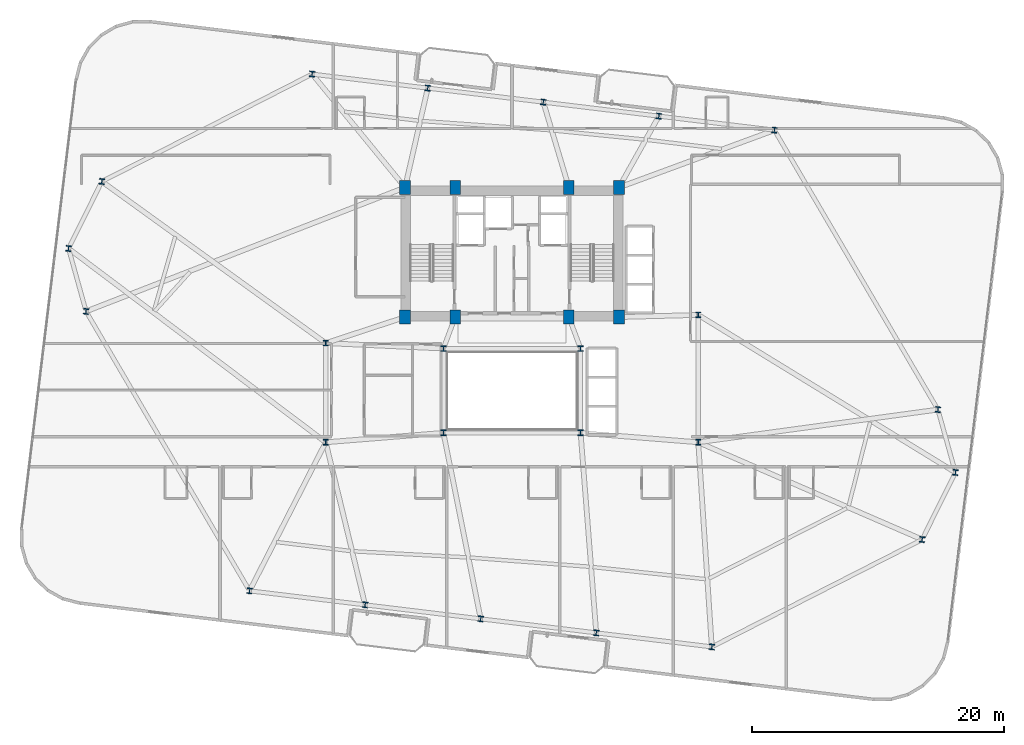
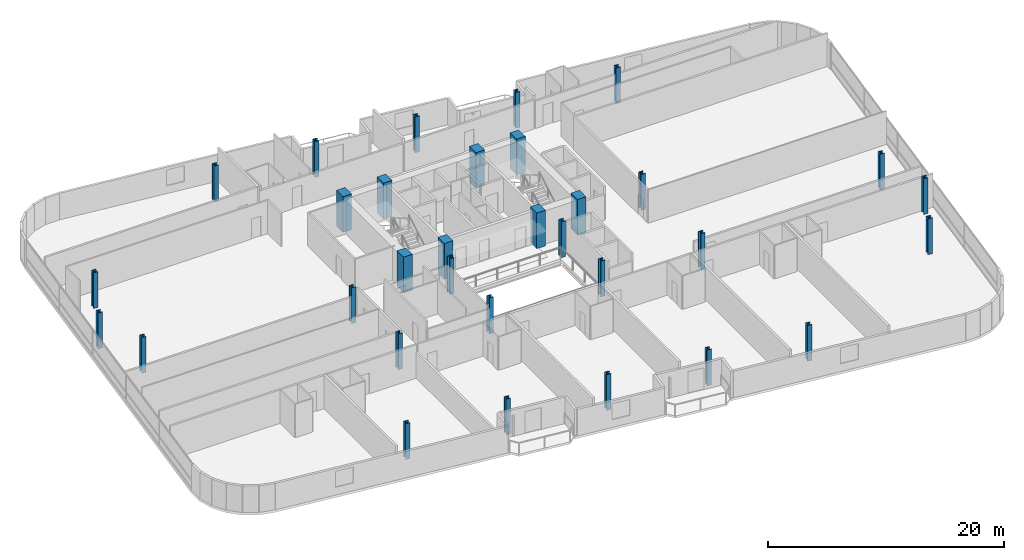
# One storey, part 1 of 26: 32 columns.
"""IFC4 building model written with IfcOpenShell, lengths in metres."""

from ifc_helpers import new_model, si_unit, direction, frame, origin, origin_2d, place, context, subcontext, project, spatial, rectangle, i_section, extrude, material, material_profile, profile_set, type_object, element, save


model = new_model("IFC4")

# Units and contexts
model_context = context("Model", 3, precision=1e-05, world=origin(), true_north=direction((0.0, 1.0)))
body_context = subcontext(model_context, "Body", "Model", "MODEL_VIEW")
ifc_project = project(units=[si_unit("LENGTHUNIT", "METRE"), si_unit("AREAUNIT", "SQUARE_METRE"), si_unit("VOLUMEUNIT", "CUBIC_METRE"), si_unit("PLANEANGLEUNIT", "RADIAN"), si_unit("MASSUNIT", "GRAM", prefix="KILO")], contexts=[model_context])

# Site, building, storey
site_placement = place(None, origin())
site = spatial("IfcSite", under=ifc_project, at=site_placement, CompositionType="ELEMENT")
building_placement = place(site_placement, origin())
building = spatial("IfcBuilding", under=site, at=building_placement, Name="Varnelok Gate Tower", CompositionType="ELEMENT")
storey_placement = place(building_placement, frame((0.0, 0.0, 147.60009765625)))
storey = spatial("IfcBuildingStorey", under=building, at=storey_placement, Name="L37", CompositionType="ELEMENT", Elevation=147.60009765625)

# Columns
ifc_material_1 = material(Name="Concrete C60/75", Category="concrete")
ifc_material_profile_1 = material_profile(ifc_material_1, rectangle(XDim=0.85009765625, YDim=1.10009765625, at=origin_2d()), Name="RC1100X850")
ifc_profile_set_1 = profile_set([ifc_material_profile_1], Name="Concrete C60/75")
column_type_1 = type_object("IfcColumnType", Name="COL-RC1100X850", PredefinedType="COLUMN", material=ifc_profile_set_1)
for number, where, z_axis, x_axis, name in (
    (1, (30.699951171875, 28.75, 0.0), (0.0, 0.0, 1.0), (1.0, 0.0, 0.0), "L37 Core Spine Column SC1"),
    (2, (34.679931640625, 28.75, 0.0), (0.0, 0.0, 1.0), (1.0, 0.0, 0.0), "L37 Core Spine Column SC2"),
    (3, (43.719970703125, 28.75, 0.0), (0.0, 0.0, 1.0), (1.0, 0.0, 0.0), "L37 Core Spine Column SC3"),
    (4, (47.699951171875, 28.75, 0.0), (0.0, 0.0, 1.0), (1.0, 0.0, 0.0), "L37 Core Spine Column SC4"),
    (5, (30.699951171875, 39.050048828125, 0.0), (0.0, 0.0, 1.0), (1.0, 0.0, 0.0), "L37 Core Spine Column SC5"),
    (6, (34.679931640625, 39.050048828125, 0.0), (0.0, 0.0, 1.0), (1.0, 0.0, 0.0), "L37 Core Spine Column SC6"),
    (7, (43.719970703125, 39.050048828125, 0.0), (0.0, 0.0, 1.0), (1.0, 0.0, 0.0), "L37 Core Spine Column SC7"),
    (8, (47.699951171875, 39.050048828125, 0.0), (0.0, 0.0, 1.0), (1.0, 0.0, 0.0), "L37 Core Spine Column SC8"),
):
    element("IfcColumn", number, at=place(storey_placement, frame(where, z_axis=z_axis, x_axis=x_axis)), inside=storey, type_object=column_type_1, Name=name, PredefinedType="COLUMN", context=body_context, shape_type="SweptSolid", body=[
        extrude(rectangle(XDim=0.85009765625, YDim=1.10009765625, at=origin_2d()), origin(), (0.0, 0.0, 1.0), 3.699951171875),
    ])
ifc_material_2 = material(Name="Structural Steel ASTM A992 Grade 50", Category="steel")
ifc_material_profile_2 = material_profile(ifc_material_2, i_section(OverallWidth=0.41796875, OverallDepth=0.455078125, WebThickness=0.0419921875, FlangeThickness=0.067626953125, FilletRadius=0.02490234375, at=origin_2d()), Name="W14X370")
ifc_profile_set_2 = profile_set([ifc_material_profile_2], Name="Structural Steel ASTM A992 Grade 50")
column_type_2 = type_object("IfcColumnType", Name="COL-W14X370", PredefinedType="COLUMN", material=ifc_profile_set_2)
for number, where, z_axis, x_axis, name in (
    (9, (33.75, 19.550048828125, 0.0), (0.0, 0.0, 1.0), (1.0, 0.0, 0.0), "L37 Atrium Spine Column AC1"),
    (10, (44.64990234375, 19.550048828125, 0.0), (0.0, 0.0, 1.0), (1.0, 0.0, 0.0), "L37 Atrium Spine Column AC2"),
    (11, (33.75, 26.25, 0.0), (0.0, 0.0, 1.0), (1.0, 0.0, 0.0), "L37 Atrium Spine Column AC3"),
    (12, (44.64990234375, 26.25, 0.0), (0.0, 0.0, 1.0), (1.0, 0.0, 0.0), "L37 Atrium Spine Column AC4"),
    (13, (24.39990234375, 18.800048828125, 0.0), (0.0, 0.0, 1.0), (1.0, 0.0, 0.0), "L37 Wing Spine Column WS1"),
    (14, (24.39990234375, 26.679931640625, 0.0), (0.0, 0.0, 1.0), (1.0, 0.0, 0.0), "L37 Wing Spine Column WS2"),
    (15, (54.0, 18.800048828125, 0.0), (0.0, 0.0, 1.0), (1.0, 0.0, 0.0), "L37 Wing Spine Column ES1"),
    (16, (54.0, 28.919921875, 0.0), (0.0, 0.0, 1.0), (1.0, 0.0, 0.0), "L37 Wing Spine Column ES2"),
    (17, (18.345703125, 6.99658203125, 0.0), (0.0, 0.0, 1.0), (0.992732158755, -0.12034475881, 0.0), "L37 B3 Perimeter Column PC01"),
    (18, (27.528564453125, 5.883544921875, 0.0), (0.0, 0.0, 1.0), (0.992732158755, -0.12034475881, 0.0), "L37 B3 Perimeter Column PC02"),
    (19, (36.711181640625, 4.770263671875, 0.0), (0.0, 0.0, 1.0), (0.992732158755, -0.12034475881, 0.0), "L37 B3 Perimeter Column PC03"),
    (20, (45.89404296875, 3.656982421875, 0.0), (0.0, 0.0, 1.0), (0.992732158755, -0.12034475881, 0.0), "L37 B3 Perimeter Column PC04"),
    (21, (55.076904296875, 2.5439453125, 0.0), (0.0, 0.0, 1.0), (0.992732158755, -0.12034475881, 0.0), "L37 B3 Perimeter Column PC05"),
    (22, (71.79296875, 11.07421875, 0.0), (0.0, 0.0, 1.0), (0.992732158755, -0.12034475881, 0.0), "L37 B3 Perimeter Column PC06"),
    (23, (74.435546875, 16.40478515625, 0.0), (0.0, 0.0, 1.0), (0.992732158755, -0.12034475881, 0.0), "L37 B3 Perimeter Column PC07"),
    (24, (73.04443359375, 21.398681640625, 0.0), (0.0, 0.0, 1.0), (0.992732158755, -0.12034475881, 0.0), "L37 B3 Perimeter Column PC08"),
    (25, (60.05419921875, 43.603271484375, 0.0), (0.0, 0.0, 1.0), (0.992732158755, -0.12034475881, 0.0), "L37 B3 Perimeter Column PC09"),
    (26, (50.87158203125, 44.716552734375, 0.0), (0.0, 0.0, 1.0), (0.992732158755, -0.12034475881, 0.0), "L37 B3 Perimeter Column PC10"),
    (27, (41.688720703125, 45.82958984375, 0.0), (0.0, 0.0, 1.0), (0.992732158755, -0.12034475881, 0.0), "L37 B3 Perimeter Column PC11"),
    (28, (32.506103515625, 46.94287109375, 0.0), (0.0, 0.0, 1.0), (0.992732158755, -0.12034475881, 0.0), "L37 B3 Perimeter Column PC12"),
    (29, (23.3232421875, 48.05615234375, 0.0), (0.0, 0.0, 1.0), (0.992732158755, -0.12034475881, 0.0), "L37 B3 Perimeter Column PC13"),
    (30, (6.607177734375, 39.52587890625, 0.0), (0.0, 0.0, 1.0), (0.992732158755, -0.12034475881, 0.0), "L37 B3 Perimeter Column PC14"),
    (31, (3.96435546875, 34.195068359375, 0.0), (0.0, 0.0, 1.0), (0.992732158755, -0.12034475881, 0.0), "L37 B3 Perimeter Column PC15"),
    (32, (5.35546875, 29.201416015625, 0.0), (0.0, 0.0, 1.0), (0.992732158755, -0.12034475881, 0.0), "L37 B3 Perimeter Column PC16"),
):
    element("IfcColumn", number, at=place(storey_placement, frame(where, z_axis=z_axis, x_axis=x_axis)), inside=storey, type_object=column_type_2, Name=name, PredefinedType="COLUMN", context=body_context, shape_type="SweptSolid", body=[
        extrude(i_section(OverallWidth=0.41796875, OverallDepth=0.455078125, WebThickness=0.0419921875, FlangeThickness=0.067626953125, FilletRadius=0.02490234375, at=origin_2d()), origin(), (0.0, 0.0, 1.0), 3.699951171875),
    ])

save(model, "model.ifc")
